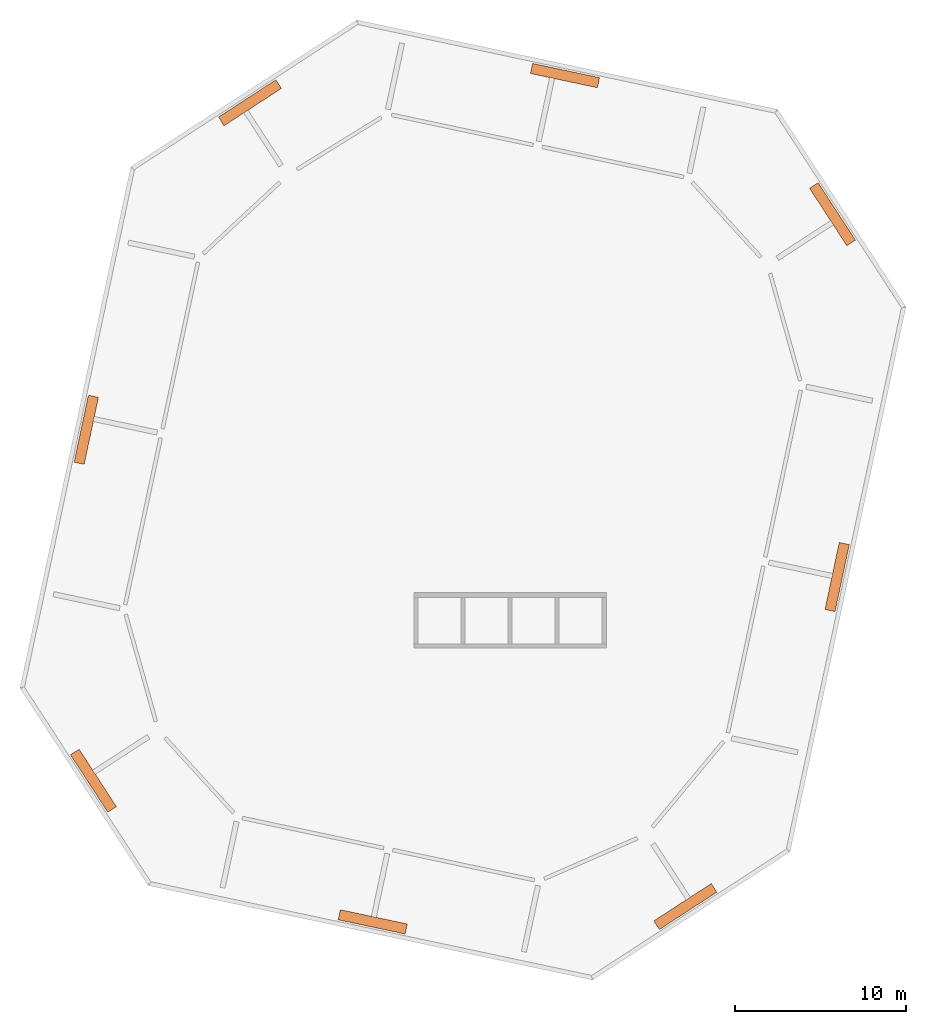
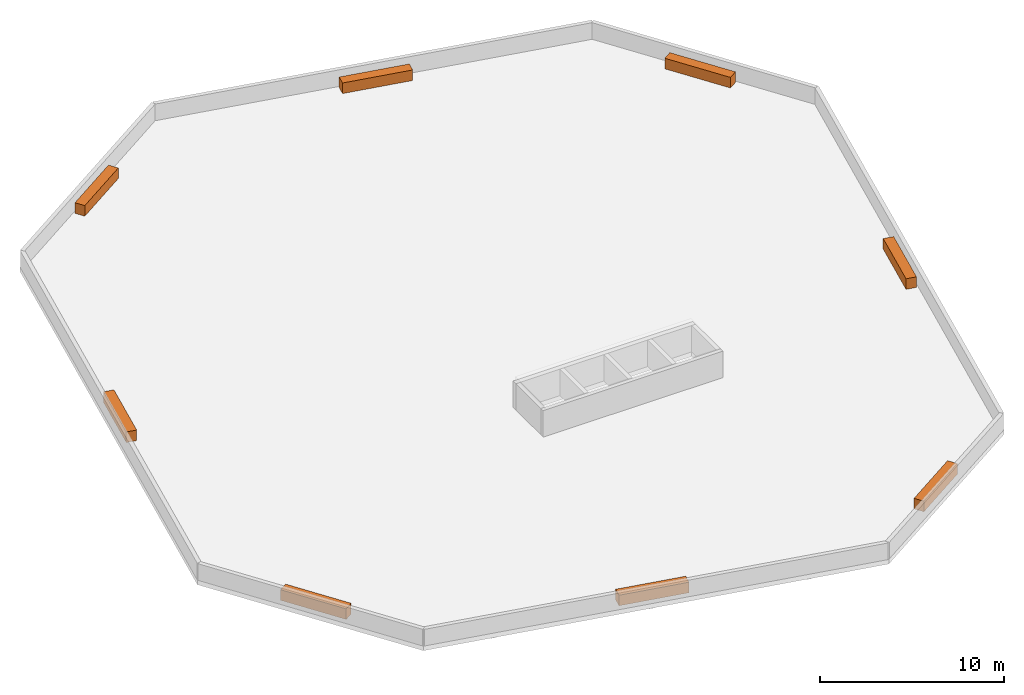
# One storey, part 2 of 2: 8 proxies.
"""IFC4 building model written with IfcOpenShell, lengths in metres."""

from ifc_helpers import new_model, si_unit, direction, frame, origin, origin_2d, place, context, subcontext, project, spatial, rectangle, extrude, element, save


model = new_model("IFC4")

# Units and contexts
model_context = context("Model", 3, precision=1e-05, world=origin(), true_north=direction((0.0, 1.0)))
body_context = subcontext(model_context, "Body", "Model", "MODEL_VIEW")
ifc_project = project(units=[si_unit("LENGTHUNIT", "METRE"), si_unit("AREAUNIT", "SQUARE_METRE"), si_unit("VOLUMEUNIT", "CUBIC_METRE"), si_unit("PLANEANGLEUNIT", "RADIAN"), si_unit("MASSUNIT", "GRAM", prefix="KILO")], contexts=[model_context])

# Site, building, storey
site_placement = place(None, origin())
site = spatial("IfcSite", under=ifc_project, at=site_placement, CompositionType="ELEMENT")
building_placement = place(site_placement, origin())
building = spatial("IfcBuilding", under=site, at=building_placement, Name="Dilmun Exchange Tower", CompositionType="ELEMENT")
storey_placement = place(building_placement, frame((0.0, 0.0, 376.60009765625)))
storey = spatial("IfcBuildingStorey", under=building, at=storey_placement, Name="Roof", CompositionType="ELEMENT", Elevation=376.60009765625)

# Proxies
for number, where, z_axis, x_axis, name in (
    (1, (-5.2705078125, -24.7958984375, 0.0), (0.0, 0.0, 1.0), (0.978147600734, -0.207911690818, 0.0), "PLANTER roof parapet 1"),
    (2, (12.9912109375, -23.899658203125, 0.0), (0.0, 0.0, 1.0), (0.838670567945, 0.544639035015, 0.0), "PLANTER roof parapet 2"),
    (3, (21.861572265625, -4.646728515625, 0.0), (0.0, 0.0, 1.0), (0.207911690818, 0.978147600734, 0.0), "PLANTER roof parapet 3"),
    (4, (21.589111328125, 16.549560546875, 0.0), (0.0, 0.0, 1.0), (-0.544639035015, 0.838670567945, 0.0), "PLANTER roof parapet 4"),
    (5, (5.962158203125, 24.64892578125, 0.0), (0.0, 0.0, 1.0), (-0.978147600734, 0.207911690818, 0.0), "PLANTER roof parapet 5"),
    (6, (-12.446533203125, 23.06103515625, 0.0), (0.0, 0.0, 1.0), (-0.838670567945, -0.544639035015, 0.0), "PLANTER roof parapet 6"),
    (7, (-22.008544921875, 3.955078125, 0.0), (0.0, 0.0, 1.0), (-0.207911690818, -0.978147600734, 0.0), "PLANTER roof parapet 7"),
    (8, (-21.589111328125, -16.549560546875, 0.0), (0.0, 0.0, 1.0), (0.544639035015, -0.838670567945, 0.0), "PLANTER roof parapet 8"),
):
    element("IfcBuildingElementProxy", number, at=place(storey_placement, frame(where, z_axis=z_axis, x_axis=x_axis)), inside=storey, Name=name, ObjectType="PLANTER", PredefinedType="USERDEFINED", context=body_context, shape_type="SweptSolid", body=[
        extrude(rectangle(XDim=4.0, YDim=0.60009765625, at=origin_2d()), origin(), (0.0, 0.0, 1.0), 0.699951171875),
    ])

save(model, "model.ifc")
